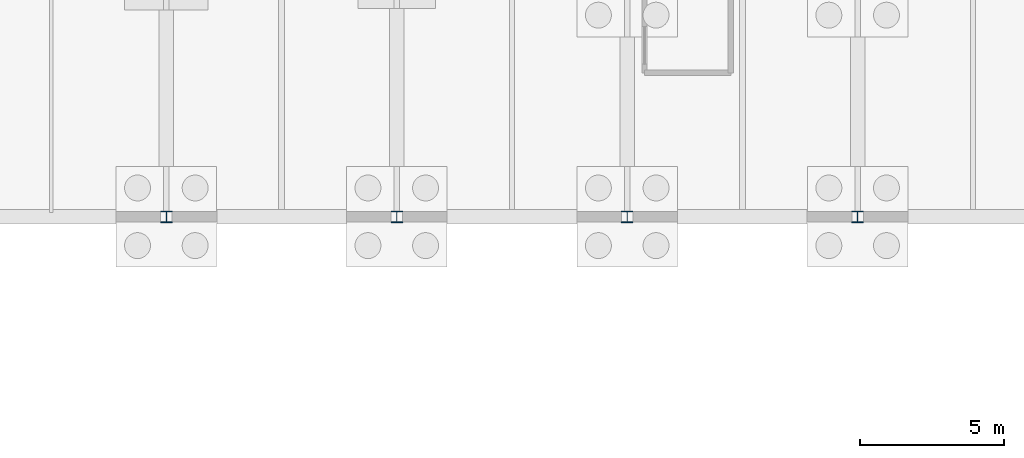
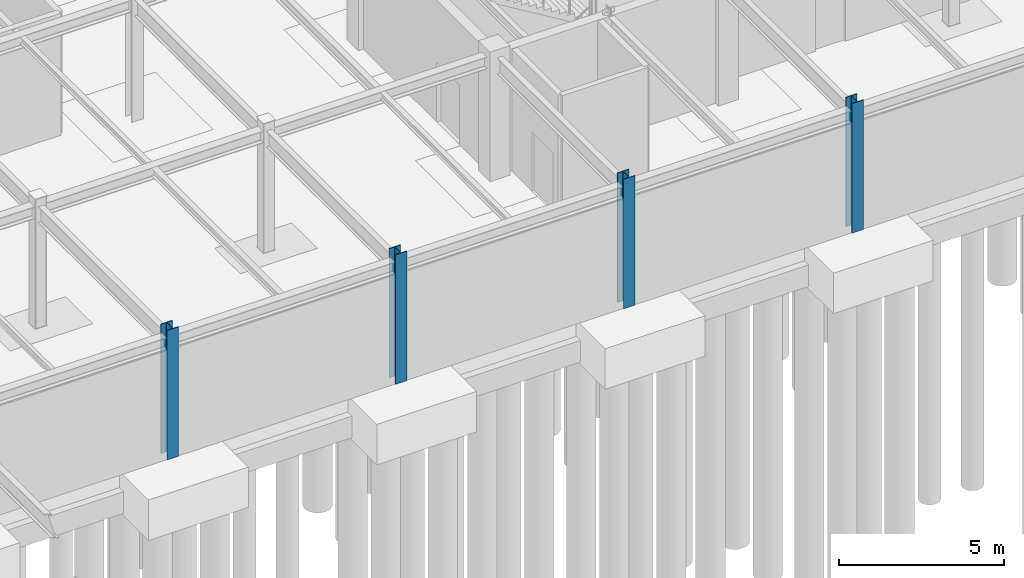
# One storey, part 19 of 72: 4 columns.
"""IFC4 building model written with IfcOpenShell, lengths in metres."""

from ifc_helpers import new_model, si_unit, direction, frame, origin, origin_2d, place, context, subcontext, project, spatial, i_section, extrude, material, material_profile, profile_set, type_object, element, save


model = new_model("IFC4")

# Units and contexts
model_context = context("Model", 3, precision=1e-05, world=origin(), true_north=direction((0.0, 1.0)))
body_context = subcontext(model_context, "Body", "Model", "MODEL_VIEW")
ifc_project = project(units=[si_unit("LENGTHUNIT", "METRE"), si_unit("AREAUNIT", "SQUARE_METRE"), si_unit("VOLUMEUNIT", "CUBIC_METRE"), si_unit("PLANEANGLEUNIT", "RADIAN"), si_unit("MASSUNIT", "GRAM", prefix="KILO")], contexts=[model_context])

# Site, building, storey
site_placement = place(None, origin())
site = spatial("IfcSite", under=ifc_project, at=site_placement, CompositionType="ELEMENT")
building_placement = place(site_placement, origin())
building = spatial("IfcBuilding", under=site, at=building_placement, Name="Zhaolan Boulevard Law Courts", CompositionType="ELEMENT")
storey_placement = place(building_placement, frame((0.0, 0.0, -4.800048828125)))
storey = spatial("IfcBuildingStorey", under=building, at=storey_placement, Name="B1", CompositionType="ELEMENT", Elevation=-4.800048828125)

# Columns
ifc_material = material(Name="Structural steel Q390B", Category="steel")
ifc_material_profile = material_profile(ifc_material, i_section(OverallWidth=0.39990234375, OverallDepth=0.39990234375, WebThickness=0.012939453125, FlangeThickness=0.02099609375, FilletRadius=0.02197265625, at=origin_2d()), Name="HW400x400")
ifc_profile_set = profile_set([ifc_material_profile], Name="Structural steel Q390B")
column_type = type_object("IfcColumnType", Name="COL HW400", PredefinedType="COLUMN", material=ifc_profile_set)
for number, where, z_axis, x_axis, name in (
    (1, (68.0, 62.0, 0.0), (0.0, 0.0, 1.0), (1.0, 0.0, 0.0), "Column C-9J (B1)"),
    (2, (76.0, 62.0, 0.0), (0.0, 0.0, 1.0), (1.0, 0.0, 0.0), "Column C-10J (B1)"),
    (3, (84.0, 62.0, 0.0), (0.0, 0.0, 1.0), (1.0, 0.0, 0.0), "Column C-11J (B1)"),
    (4, (92.0, 62.0, 0.0), (0.0, 0.0, 1.0), (1.0, 0.0, 0.0), "Column C-12J (B1)"),
):
    element("IfcColumn", number, at=place(storey_placement, frame(where, z_axis=z_axis, x_axis=x_axis)), inside=storey, type_object=column_type, Name=name, PredefinedType="COLUMN", context=body_context, shape_type="SweptSolid", body=[
        extrude(i_section(OverallWidth=0.39990234375, OverallDepth=0.39990234375, WebThickness=0.012939453125, FlangeThickness=0.02099609375, FilletRadius=0.02197265625, at=origin_2d()), origin(), (0.0, 0.0, 1.0), 4.800048828125),
    ])

save(model, "model.ifc")
